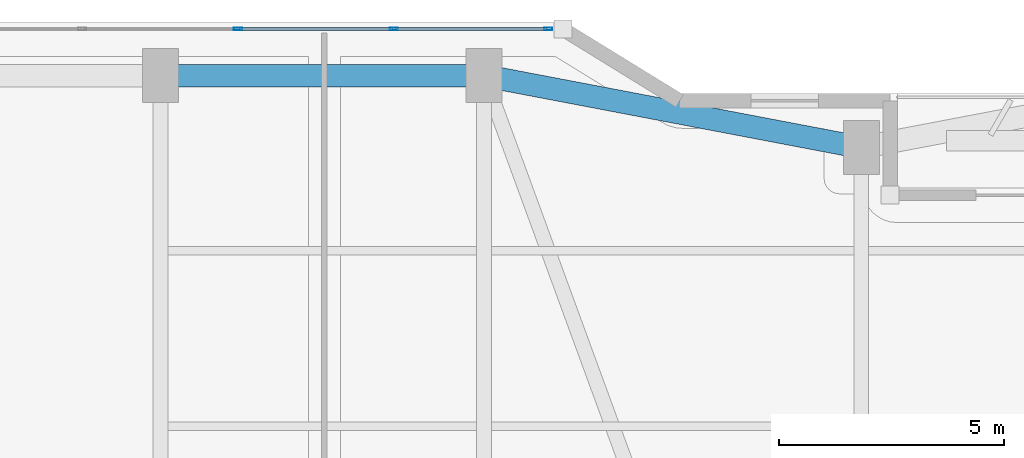
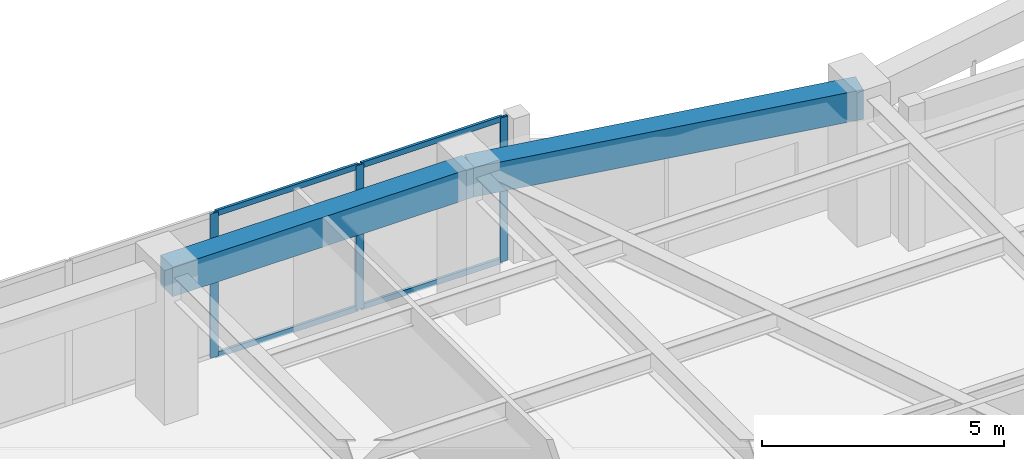
# One storey, part 14 of 24: 7 members, 2 beams, 1 element without a shape of its own.
"""IFC4 building model written with IfcOpenShell, lengths in metres."""

from ifc_helpers import new_model, si_unit, direction, frame, origin, origin_2d, place, context, subcontext, project, spatial, rectangle, hollow_rectangle, extrude, material, layer, layer_set, material_profile, profile_set, type_object, element, aggregate, save


model = new_model("IFC4")

# Units and contexts
model_context = context("Model", 3, precision=1e-05, world=origin(), true_north=direction((0.0, 1.0)))
body_context = subcontext(model_context, "Body", "Model", "MODEL_VIEW")
ifc_project = project(units=[si_unit("LENGTHUNIT", "METRE"), si_unit("AREAUNIT", "SQUARE_METRE"), si_unit("VOLUMEUNIT", "CUBIC_METRE"), si_unit("PLANEANGLEUNIT", "RADIAN"), si_unit("MASSUNIT", "GRAM", prefix="KILO")], contexts=[model_context])

# Site, building, storey
site_placement = place(None, origin())
site = spatial("IfcSite", under=ifc_project, at=site_placement, CompositionType="ELEMENT")
building_placement = place(site_placement, origin())
building = spatial("IfcBuilding", under=site, at=building_placement, Name="Kiyonajd Concourse Tower", CompositionType="ELEMENT")
storey_placement = place(building_placement, frame((0.0, 0.0, 109.199951171875)))
storey = spatial("IfcBuildingStorey", under=building, at=storey_placement, Name="L28", CompositionType="ELEMENT", Elevation=109.199951171875)

# Beams
ifc_material_1 = material(Name="Precast concrete C50/60", Category="concrete")
ifc_material_profile_1 = material_profile(ifc_material_1, rectangle(XDim=0.5, YDim=0.75, at=origin_2d()), Name="RCBM-500x750")
ifc_profile_set_1 = profile_set([ifc_material_profile_1], Name="Precast concrete C50/60")
beam_type = type_object("IfcBeamType", Name="BM-SPAN-RC", PredefinedType="SPANDREL", material=ifc_profile_set_1)
beam_1_placement = place(storey_placement, frame((48.0, 59.60009765625, 3.26513671875), z_axis=(-0.982341315253, 0.187097675953, 0.0), x_axis=(-0.187097675953, -0.982341315253, 0.0)))
element("IfcBeam", 1, at=beam_1_placement, inside=storey, type_object=beam_type, Name="L28 Perimeter Bundled Tube Spandrel", PredefinedType="SPANDREL", context=body_context, shape_type="SweptSolid", body=[
    extrude(rectangle(XDim=0.5, YDim=0.75, at=origin_2d()), origin(), (0.0, 0.0, 1.0), 8.55078125),
])
beam_2_placement = place(storey_placement, frame((39.60009765625, 61.199951171875, 3.26513671875), z_axis=(-1.0, 0.0, 0.0), x_axis=(0.0, -1.0, 0.0)))
element("IfcBeam", 2, at=beam_2_placement, inside=storey, type_object=beam_type, Name="L28 Perimeter Bundled Tube Spandrel", PredefinedType="SPANDREL", context=body_context, shape_type="SweptSolid", body=[
    extrude(rectangle(XDim=0.5, YDim=0.75, at=origin_2d()), origin(), (0.0, 0.0, 1.0), 7.2001953125),
])

# Curtain wall, members
ifc_material_2 = material(Name="Thermally Broken Anodised Aluminium", Category="aluminium")
ifc_layer = layer(ifc_material_2, 0.179931640625)
ifc_layer_set = layer_set([ifc_layer], Name="Thermally Broken Anodised Aluminium")
curtain_wall_type = type_object("IfcCurtainWallType", Name="CW-SYS-03", PredefinedType="NOTDEFINED", material=ifc_layer_set)
curtain_wall_placement = place(storey_placement, origin())
curtain_wall = element("IfcCurtainWall", 3, at=curtain_wall_placement, inside=storey, type_object=curtain_wall_type, Name="L28 Unitised Curtain Wall CW3", PredefinedType="NOTDEFINED")
ifc_material_profile_2 = material_profile(ifc_material_2, hollow_rectangle(XDim=0.06494140625, YDim=0.179931640625, WallThickness=0.00390625, at=origin_2d()), Name="MULL-65x180")
ifc_profile_set_2 = profile_set([ifc_material_profile_2], Name="Thermally Broken Anodised Aluminium")
member_type_1 = type_object("IfcMemberType", Name="MB-CW-MULL1", PredefinedType="MULLION", material=ifc_profile_set_2)
member_1_placement = place(storey_placement, frame((34.123291015625, 62.239990234375, 0.0), z_axis=(0.0, 0.0, 1.0), x_axis=(0.0, 1.0, 0.0)))
member_1 = element("IfcMember", 4, at=member_1_placement, type_object=member_type_1, Name="CW3 mullion 4", PredefinedType="MULLION", context=body_context, shape_type="SweptSolid", body=[
    extrude(hollow_rectangle(XDim=0.06494140625, YDim=0.179931640625, WallThickness=0.00390625, at=origin_2d()), origin(), (0.0, 0.0, 1.0), 3.64013671875),
])
member_2_placement = place(storey_placement, frame((37.593994140625, 62.239990234375, 0.0), z_axis=(0.0, 0.0, 1.0), x_axis=(0.0, 1.0, 0.0)))
member_2 = element("IfcMember", 5, at=member_2_placement, type_object=member_type_1, Name="CW3 mullion 5", PredefinedType="MULLION", context=body_context, shape_type="SweptSolid", body=[
    extrude(hollow_rectangle(XDim=0.06494140625, YDim=0.179931640625, WallThickness=0.00390625, at=origin_2d()), origin(), (0.0, 0.0, 1.0), 3.64013671875),
])
member_3_placement = place(storey_placement, frame((41.0322265625, 62.239990234375, 0.0), z_axis=(0.0, 0.0, 1.0), x_axis=(0.0, 1.0, 0.0)))
member_3 = element("IfcMember", 6, at=member_3_placement, type_object=member_type_1, Name="CW3 mullion 6", PredefinedType="MULLION", context=body_context, shape_type="SweptSolid", body=[
    extrude(hollow_rectangle(XDim=0.06494140625, YDim=0.179931640625, WallThickness=0.00390625, at=origin_2d()), origin(), (0.0, 0.0, 1.0), 3.64013671875),
])
ifc_material_profile_3 = material_profile(ifc_material_2, hollow_rectangle(XDim=0.06494140625, YDim=0.139892578125, WallThickness=0.00390625, at=origin_2d()), Name="TRAN-65x140")
ifc_profile_set_3 = profile_set([ifc_material_profile_3], Name="Thermally Broken Anodised Aluminium")
member_type_2 = type_object("IfcMemberType", Name="MB-CW-TRAN1", PredefinedType="USERDEFINED", material=ifc_profile_set_3)
member_4_placement = place(storey_placement, frame((34.15576171875, 62.239990234375, 0.032470703125), z_axis=(1.0, 0.0, 0.0), x_axis=(0.0, 1.0, 0.0)))
member_4 = element("IfcMember", 7, at=member_4_placement, type_object=member_type_2, Name="CW3 transom 4.1", ObjectType="TRANSOM", PredefinedType="USERDEFINED", context=body_context, shape_type="SweptSolid", body=[
    extrude(hollow_rectangle(XDim=0.06494140625, YDim=0.139892578125, WallThickness=0.00390625, at=origin_2d()), origin(), (0.0, 0.0, 1.0), 3.40576171875),
])
member_5_placement = place(storey_placement, frame((34.15576171875, 62.239990234375, 3.607666015625), z_axis=(1.0, 0.0, 0.0), x_axis=(0.0, 1.0, 0.0)))
member_5 = element("IfcMember", 8, at=member_5_placement, type_object=member_type_2, Name="CW3 transom 4.2", ObjectType="TRANSOM", PredefinedType="USERDEFINED", context=body_context, shape_type="SweptSolid", body=[
    extrude(hollow_rectangle(XDim=0.06494140625, YDim=0.139892578125, WallThickness=0.00390625, at=origin_2d()), origin(), (0.0, 0.0, 1.0), 3.40576171875),
])
member_6_placement = place(storey_placement, frame((37.62646484375, 62.239990234375, 0.032470703125), z_axis=(1.0, 0.0, 0.0), x_axis=(0.0, 1.0, 0.0)))
member_6 = element("IfcMember", 9, at=member_6_placement, type_object=member_type_2, Name="CW3 transom 5.1", ObjectType="TRANSOM", PredefinedType="USERDEFINED", context=body_context, shape_type="SweptSolid", body=[
    extrude(hollow_rectangle(XDim=0.06494140625, YDim=0.139892578125, WallThickness=0.00390625, at=origin_2d()), origin(), (0.0, 0.0, 1.0), 3.373291015625),
])
member_7_placement = place(storey_placement, frame((37.62646484375, 62.239990234375, 3.607666015625), z_axis=(1.0, 0.0, 0.0), x_axis=(0.0, 1.0, 0.0)))
member_7 = element("IfcMember", 10, at=member_7_placement, type_object=member_type_2, Name="CW3 transom 5.2", ObjectType="TRANSOM", PredefinedType="USERDEFINED", context=body_context, shape_type="SweptSolid", body=[
    extrude(hollow_rectangle(XDim=0.06494140625, YDim=0.139892578125, WallThickness=0.00390625, at=origin_2d()), origin(), (0.0, 0.0, 1.0), 3.373291015625),
])
aggregate(curtain_wall, [member_1, member_2, member_3, member_4, member_5, member_6, member_7])

save(model, "model.ifc")
